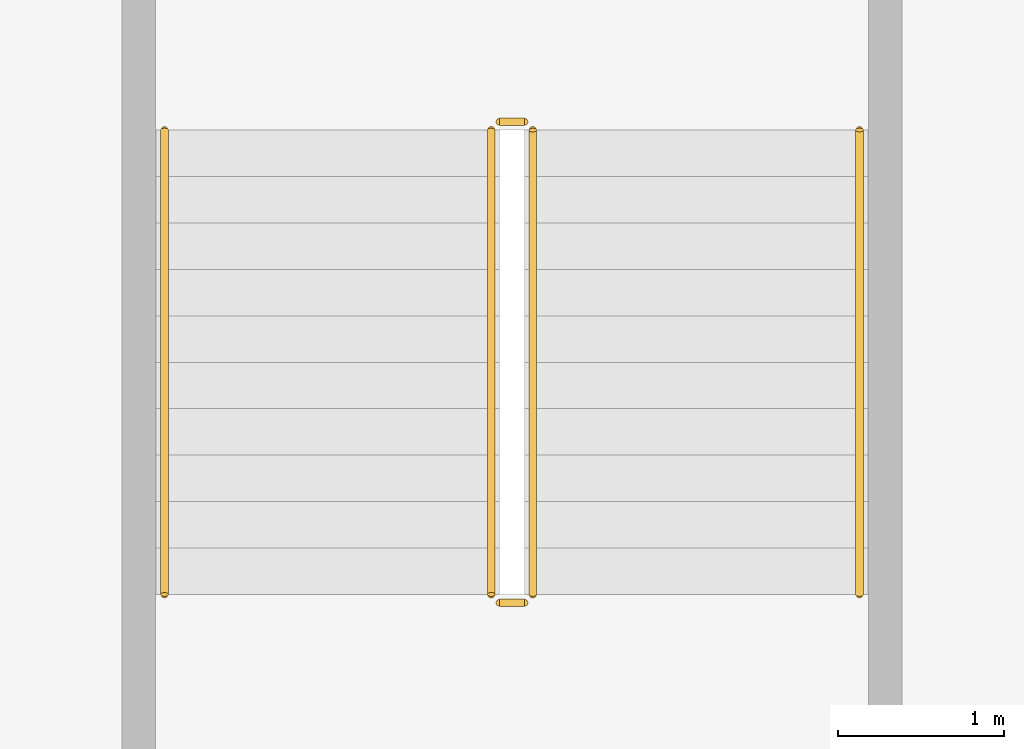
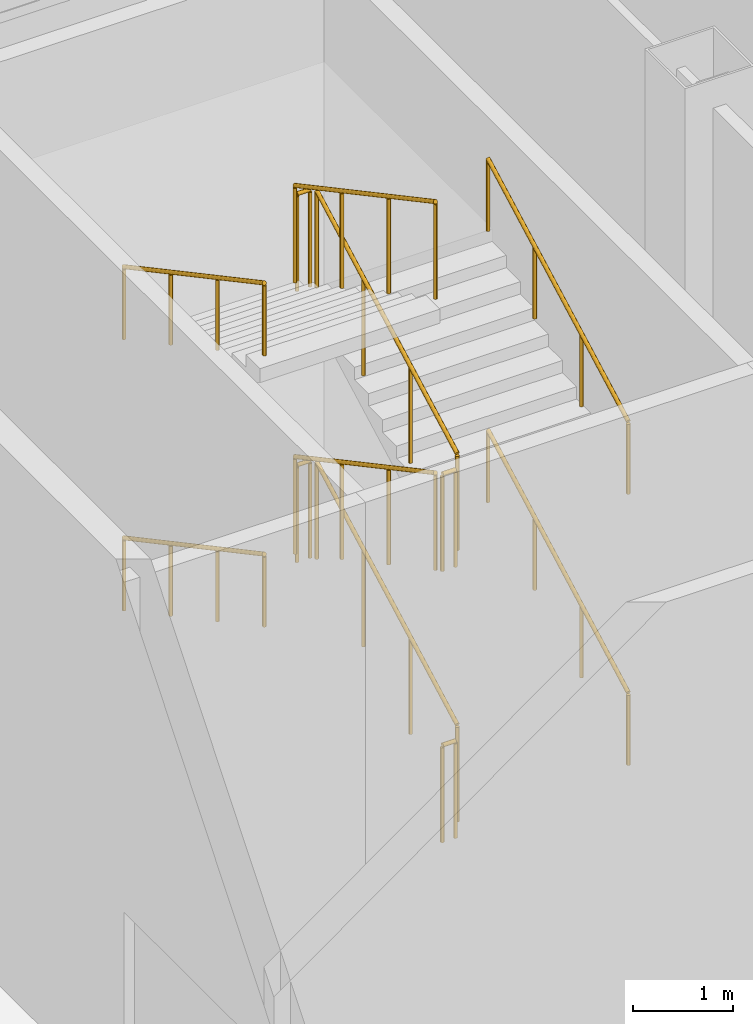
# One storey, part 36 of 38: 12 railings.
"""IFC4 building model written with IfcOpenShell, lengths in metres."""

from ifc_helpers import new_model, si_unit, direction, frame, origin, origin_2d, place, context, subcontext, project, spatial, circle, extrude, material, type_object, element, save


model = new_model("IFC4")

# Units and contexts
model_context = context("Model", 3, precision=1e-05, world=origin(), true_north=direction((0.0, 1.0)))
body_context = subcontext(model_context, "Body", "Model", "MODEL_VIEW")
ifc_project = project(units=[si_unit("LENGTHUNIT", "METRE"), si_unit("AREAUNIT", "SQUARE_METRE"), si_unit("VOLUMEUNIT", "CUBIC_METRE"), si_unit("PLANEANGLEUNIT", "RADIAN"), si_unit("MASSUNIT", "GRAM", prefix="KILO")], contexts=[model_context])

# Site, building, storey
site_placement = place(None, origin())
site = spatial("IfcSite", under=ifc_project, at=site_placement, CompositionType="ELEMENT")
building_placement = place(site_placement, origin())
building = spatial("IfcBuilding", under=site, at=building_placement, Name="Caravel Reach Hotel and Residences", CompositionType="ELEMENT")
storey_placement = place(building_placement, origin())
storey = spatial("IfcBuildingStorey", under=building, at=storey_placement, Name="L00", CompositionType="ELEMENT", Elevation=0.0)

# Railings
ifc_material_1 = material(Name="Steel balustrade with glass infill", Category="steel")
railing_type_1 = type_object("IfcRailingType", Name="Guard 1200", PredefinedType="GUARDRAIL", material=ifc_material_1)
railing_1_placement = place(storey_placement, frame((0.375, 42.68994140625, 0.14990234375)))
element("IfcRailing", 1, at=railing_1_placement, inside=storey, type_object=railing_type_1, Name="L00 ST-P5 stair guard 1", PredefinedType="GUARDRAIL", context=body_context, shape_type="SweptSolid", body=[
    extrude(circle(Radius=0.02392578125, at=origin_2d()), frame((0.0, 0.0, 1.17578125), z_axis=(0.0, 0.881483397762, 0.472215014025), x_axis=(-1.0, 0.0, 0.0)), (0.0, 0.0, 1.0), 3.176513671875),
    extrude(circle(Radius=0.02099609375, at=origin_2d()), origin(), (0.0, 0.0, 1.0), 1.15185546875),
    extrude(circle(Radius=0.02099609375, at=origin_2d()), frame((0.0, 0.933349609375, 0.5)), (0.0, 0.0, 1.0), 1.15185546875),
    extrude(circle(Radius=0.02099609375, at=origin_2d()), frame((0.0, 1.86669921875, 1.0)), (0.0, 0.0, 1.0), 1.15185546875),
    extrude(circle(Radius=0.02099609375, at=origin_2d()), frame((0.0, 2.800048828125, 1.5)), (0.0, 0.0, 1.0), 1.15185546875),
])
railing_2_placement = place(storey_placement, frame((0.324951171875, 45.5400390625, 1.64990234375)))
element("IfcRailing", 2, at=railing_2_placement, inside=storey, type_object=railing_type_1, Name="L00 ST-P5 stair guard 2", PredefinedType="GUARDRAIL", context=body_context, shape_type="SweptSolid", body=[
    extrude(circle(Radius=0.02392578125, at=origin_2d()), frame((0.0, 0.0, 1.17578125), z_axis=(-1.0, 0.0, 0.0), x_axis=(0.0, -1.0, 0.0)), (0.0, 0.0, 1.0), 0.14990234375),
    extrude(circle(Radius=0.02099609375, at=origin_2d()), origin(), (0.0, 0.0, 1.0), 1.15185546875),
    extrude(circle(Radius=0.02099609375, at=origin_2d()), frame((-0.14990234375, 0.0, 0.0)), (0.0, 0.0, 1.0), 1.15185546875),
])
railing_3_placement = place(storey_placement, frame((0.125, 45.489990234375, 1.800048828125)))
element("IfcRailing", 3, at=railing_3_placement, inside=storey, type_object=railing_type_1, Name="L00 ST-P5 stair guard 3", PredefinedType="GUARDRAIL", context=body_context, shape_type="SweptSolid", body=[
    extrude(circle(Radius=0.02392578125, at=origin_2d()), frame((0.0, 0.0, 1.17578125), z_axis=(0.0, -0.881483397762, 0.472215014025), x_axis=(1.0, 0.0, 0.0)), (0.0, 0.0, 1.0), 3.176513671875),
    extrude(circle(Radius=0.02099609375, at=origin_2d()), origin(), (0.0, 0.0, 1.0), 1.15185546875),
    extrude(circle(Radius=0.02099609375, at=origin_2d()), frame((0.0, -0.933349609375, 0.5)), (0.0, 0.0, 1.0), 1.15185546875),
    extrude(circle(Radius=0.02099609375, at=origin_2d()), frame((0.0, -1.86669921875, 1.0)), (0.0, 0.0, 1.0), 1.15185546875),
    extrude(circle(Radius=0.02099609375, at=origin_2d()), frame((0.0, -2.800048828125, 1.5)), (0.0, 0.0, 1.0), 1.15185546875),
])
railing_4_placement = place(storey_placement, frame((0.324951171875, 42.639892578125, 3.300048828125)))
element("IfcRailing", 4, at=railing_4_placement, inside=storey, type_object=railing_type_1, Name="L00 ST-P5 stair guard 4", PredefinedType="GUARDRAIL", context=body_context, shape_type="SweptSolid", body=[
    extrude(circle(Radius=0.02392578125, at=origin_2d()), frame((0.0, 0.0, 1.17578125), z_axis=(-1.0, 0.0, 0.0), x_axis=(0.0, -1.0, 0.0)), (0.0, 0.0, 1.0), 0.14990234375),
    extrude(circle(Radius=0.02099609375, at=origin_2d()), origin(), (0.0, 0.0, 1.0), 1.15185546875),
    extrude(circle(Radius=0.02099609375, at=origin_2d()), frame((-0.14990234375, 0.0, 0.0)), (0.0, 0.0, 1.0), 1.15185546875),
])
railing_5_placement = place(storey_placement, frame((0.375, 42.68994140625, 3.449951171875)))
element("IfcRailing", 5, at=railing_5_placement, inside=storey, type_object=railing_type_1, Name="L00 ST-P5 stair guard 5", PredefinedType="GUARDRAIL", context=body_context, shape_type="SweptSolid", body=[
    extrude(circle(Radius=0.02392578125, at=origin_2d()), frame((0.0, 0.0, 1.17578125), z_axis=(0.0, 0.881483397762, 0.472215014025), x_axis=(-1.0, 0.0, 0.0)), (0.0, 0.0, 1.0), 3.176513671875),
    extrude(circle(Radius=0.02099609375, at=origin_2d()), origin(), (0.0, 0.0, 1.0), 1.15185546875),
    extrude(circle(Radius=0.02099609375, at=origin_2d()), frame((0.0, 0.933349609375, 0.5)), (0.0, 0.0, 1.0), 1.15185546875),
    extrude(circle(Radius=0.02099609375, at=origin_2d()), frame((0.0, 1.86669921875, 1.0)), (0.0, 0.0, 1.0), 1.15185546875),
    extrude(circle(Radius=0.02099609375, at=origin_2d()), frame((0.0, 2.800048828125, 1.5)), (0.0, 0.0, 1.0), 1.15185546875),
])
railing_6_placement = place(storey_placement, frame((0.324951171875, 45.5400390625, 4.949951171875)))
element("IfcRailing", 6, at=railing_6_placement, inside=storey, type_object=railing_type_1, Name="L00 ST-P5 stair guard 6", PredefinedType="GUARDRAIL", context=body_context, shape_type="SweptSolid", body=[
    extrude(circle(Radius=0.02392578125, at=origin_2d()), frame((0.0, 0.0, 1.17578125), z_axis=(-1.0, 0.0, 0.0), x_axis=(0.0, -1.0, 0.0)), (0.0, 0.0, 1.0), 0.14990234375),
    extrude(circle(Radius=0.02099609375, at=origin_2d()), origin(), (0.0, 0.0, 1.0), 1.15185546875),
    extrude(circle(Radius=0.02099609375, at=origin_2d()), frame((-0.14990234375, 0.0, 0.0)), (0.0, 0.0, 1.0), 1.15185546875),
])
railing_7_placement = place(storey_placement, frame((0.125, 45.489990234375, 5.10009765625)))
element("IfcRailing", 7, at=railing_7_placement, inside=storey, type_object=railing_type_1, Name="L00 ST-P5 stair guard 7", PredefinedType="GUARDRAIL", context=body_context, shape_type="SweptSolid", body=[
    extrude(circle(Radius=0.02392578125, at=origin_2d()), frame((0.0, 0.0, 1.17578125), z_axis=(0.0, -0.881483397762, 0.472215014025), x_axis=(1.0, 0.0, 0.0)), (0.0, 0.0, 1.0), 3.176513671875),
    extrude(circle(Radius=0.02099609375, at=origin_2d()), origin(), (0.0, 0.0, 1.0), 1.15185546875),
    extrude(circle(Radius=0.02099609375, at=origin_2d()), frame((0.0, -0.933349609375, 0.5)), (0.0, 0.0, 1.0), 1.15185546875),
    extrude(circle(Radius=0.02099609375, at=origin_2d()), frame((0.0, -1.86669921875, 1.0)), (0.0, 0.0, 1.0), 1.15185546875),
    extrude(circle(Radius=0.02099609375, at=origin_2d()), frame((0.0, -2.800048828125, 1.5)), (0.0, 0.0, 1.0), 1.15185546875),
])
railing_8_placement = place(storey_placement, frame((0.324951171875, 42.639892578125, 0.0)))
element("IfcRailing", 8, at=railing_8_placement, inside=storey, type_object=railing_type_1, Name="L00 ST-P5 stair guard 8", PredefinedType="GUARDRAIL", context=body_context, shape_type="SweptSolid", body=[
    extrude(circle(Radius=0.02392578125, at=origin_2d()), frame((0.0, 0.0, 1.17578125), z_axis=(-1.0, 0.0, 0.0), x_axis=(0.0, -1.0, 0.0)), (0.0, 0.0, 1.0), 0.14990234375),
    extrude(circle(Radius=0.02099609375, at=origin_2d()), origin(), (0.0, 0.0, 1.0), 1.15185546875),
    extrude(circle(Radius=0.02099609375, at=origin_2d()), frame((-0.14990234375, 0.0, 0.0)), (0.0, 0.0, 1.0), 1.15185546875),
])
ifc_material_2 = material(Name="Stainless steel handrail", Category="steel")
railing_type_2 = type_object("IfcRailingType", Name="Handrail 900", PredefinedType="HANDRAIL", material=ifc_material_2)
railing_9_placement = place(storey_placement, frame((2.344970703125, 42.68994140625, 0.14990234375)))
element("IfcRailing", 9, at=railing_9_placement, inside=storey, type_object=railing_type_2, Name="L00 ST-P5 stair handrail 1", PredefinedType="HANDRAIL", context=body_context, shape_type="SweptSolid", body=[
    extrude(circle(Radius=0.02392578125, at=origin_2d()), frame((0.0, 0.0, 0.8759765625), z_axis=(0.0, 0.881483397762, 0.472215014025), x_axis=(-1.0, 0.0, 0.0)), (0.0, 0.0, 1.0), 3.176513671875),
    extrude(circle(Radius=0.02099609375, at=origin_2d()), origin(), (0.0, 0.0, 1.0), 0.851806640625),
    extrude(circle(Radius=0.02099609375, at=origin_2d()), frame((0.0, 0.933349609375, 0.5)), (0.0, 0.0, 1.0), 0.851806640625),
    extrude(circle(Radius=0.02099609375, at=origin_2d()), frame((0.0, 1.86669921875, 1.0)), (0.0, 0.0, 1.0), 0.851806640625),
    extrude(circle(Radius=0.02099609375, at=origin_2d()), frame((0.0, 2.800048828125, 1.5)), (0.0, 0.0, 1.0), 0.851806640625),
])
railing_10_placement = place(storey_placement, frame((-1.844970703125, 45.489990234375, 1.800048828125)))
element("IfcRailing", 10, at=railing_10_placement, inside=storey, type_object=railing_type_2, Name="L00 ST-P5 stair handrail 2", PredefinedType="HANDRAIL", context=body_context, shape_type="SweptSolid", body=[
    extrude(circle(Radius=0.02392578125, at=origin_2d()), frame((0.0, 0.0, 0.8759765625), z_axis=(0.0, -0.881483397762, 0.472215014025), x_axis=(1.0, 0.0, 0.0)), (0.0, 0.0, 1.0), 3.176513671875),
    extrude(circle(Radius=0.02099609375, at=origin_2d()), origin(), (0.0, 0.0, 1.0), 0.851806640625),
    extrude(circle(Radius=0.02099609375, at=origin_2d()), frame((0.0, -0.933349609375, 0.5)), (0.0, 0.0, 1.0), 0.851806640625),
    extrude(circle(Radius=0.02099609375, at=origin_2d()), frame((0.0, -1.86669921875, 1.0)), (0.0, 0.0, 1.0), 0.851806640625),
    extrude(circle(Radius=0.02099609375, at=origin_2d()), frame((0.0, -2.800048828125, 1.5)), (0.0, 0.0, 1.0), 0.851806640625),
])
railing_11_placement = place(storey_placement, frame((2.344970703125, 42.68994140625, 3.449951171875)))
element("IfcRailing", 11, at=railing_11_placement, inside=storey, type_object=railing_type_2, Name="L00 ST-P5 stair handrail 3", PredefinedType="HANDRAIL", context=body_context, shape_type="SweptSolid", body=[
    extrude(circle(Radius=0.02392578125, at=origin_2d()), frame((0.0, 0.0, 0.8759765625), z_axis=(0.0, 0.881483397762, 0.472215014025), x_axis=(-1.0, 0.0, 0.0)), (0.0, 0.0, 1.0), 3.176513671875),
    extrude(circle(Radius=0.02099609375, at=origin_2d()), origin(), (0.0, 0.0, 1.0), 0.851806640625),
    extrude(circle(Radius=0.02099609375, at=origin_2d()), frame((0.0, 0.933349609375, 0.5)), (0.0, 0.0, 1.0), 0.851806640625),
    extrude(circle(Radius=0.02099609375, at=origin_2d()), frame((0.0, 1.86669921875, 1.0)), (0.0, 0.0, 1.0), 0.851806640625),
    extrude(circle(Radius=0.02099609375, at=origin_2d()), frame((0.0, 2.800048828125, 1.5)), (0.0, 0.0, 1.0), 0.851806640625),
])
railing_12_placement = place(storey_placement, frame((-1.844970703125, 45.489990234375, 5.10009765625)))
element("IfcRailing", 12, at=railing_12_placement, inside=storey, type_object=railing_type_2, Name="L00 ST-P5 stair handrail 4", PredefinedType="HANDRAIL", context=body_context, shape_type="SweptSolid", body=[
    extrude(circle(Radius=0.02392578125, at=origin_2d()), frame((0.0, 0.0, 0.8759765625), z_axis=(0.0, -0.881483397762, 0.472215014025), x_axis=(1.0, 0.0, 0.0)), (0.0, 0.0, 1.0), 3.176513671875),
    extrude(circle(Radius=0.02099609375, at=origin_2d()), origin(), (0.0, 0.0, 1.0), 0.851806640625),
    extrude(circle(Radius=0.02099609375, at=origin_2d()), frame((0.0, -0.933349609375, 0.5)), (0.0, 0.0, 1.0), 0.851806640625),
    extrude(circle(Radius=0.02099609375, at=origin_2d()), frame((0.0, -1.86669921875, 1.0)), (0.0, 0.0, 1.0), 0.851806640625),
    extrude(circle(Radius=0.02099609375, at=origin_2d()), frame((0.0, -2.800048828125, 1.5)), (0.0, 0.0, 1.0), 0.851806640625),
])

save(model, "model.ifc")
